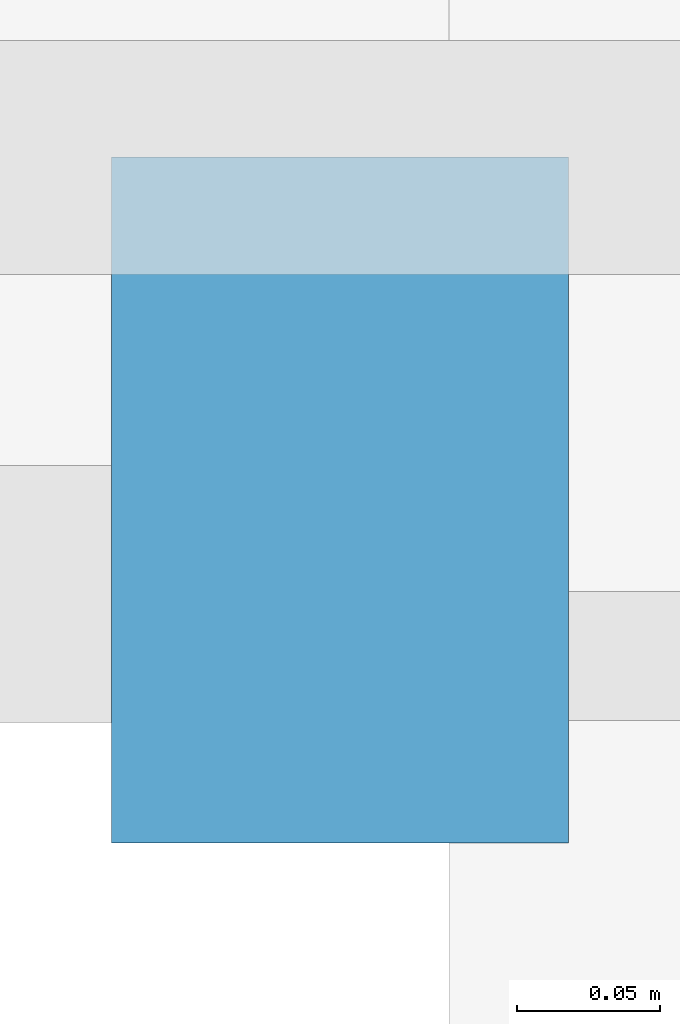
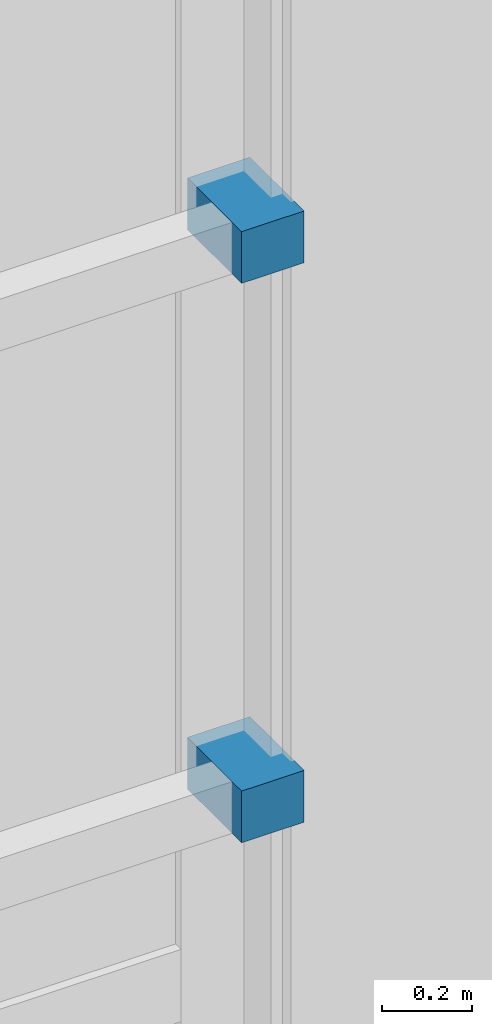
# One storey, part 21 of 30: 2 discrete accessories.
"""IFC4 building model written with IfcOpenShell, lengths in metres."""

from ifc_helpers import new_model, si_unit, direction, frame, origin, origin_2d, place, context, subcontext, project, spatial, rectangle, extrude, material, type_object, element, save


model = new_model("IFC4")

# Units and contexts
model_context = context("Model", 3, precision=1e-05, world=origin(), true_north=direction((0.0, 1.0)))
body_context = subcontext(model_context, "Body", "Model", "MODEL_VIEW")
ifc_project = project(units=[si_unit("LENGTHUNIT", "METRE"), si_unit("AREAUNIT", "SQUARE_METRE"), si_unit("VOLUMEUNIT", "CUBIC_METRE"), si_unit("PLANEANGLEUNIT", "RADIAN"), si_unit("MASSUNIT", "GRAM", prefix="KILO")], contexts=[model_context])

# Site, building, storey
site_placement = place(None, origin())
site = spatial("IfcSite", under=ifc_project, at=site_placement, CompositionType="ELEMENT")
building_placement = place(site_placement, origin())
building = spatial("IfcBuilding", under=site, at=building_placement, Name="Quenlor Broadcast Tower", CompositionType="ELEMENT")
storey_placement = place(building_placement, frame((0.0, 0.0, 9.5)))
storey = spatial("IfcBuildingStorey", under=building, at=storey_placement, Name="L02", CompositionType="ELEMENT", Elevation=9.5)

# Discrete accessories
ifc_material = material(Name="Aluminium 6063-T6", Category="aluminium")
discrete_accessory_type = type_object("IfcDiscreteAccessoryType", Name="Stainless Mullion Baguette Support Bracket", PredefinedType="BRACKET", material=ifc_material)
for number, where, z_axis, x_axis, name in (
    (1, (26.109619140625, -24.93994140625, 1.44189453125), (0.0, 0.0, 1.0), (-1.0, 0.0, 0.0), "L02 Baguette Mullion Bracket 1.1"),
    (2, (26.109619140625, -24.93994140625, 2.9541015625), (0.0, 0.0, 1.0), (-1.0, 0.0, 0.0), "L02 Baguette Mullion Bracket 2.1"),
):
    element("IfcDiscreteAccessory", number, at=place(storey_placement, frame(where, z_axis=z_axis, x_axis=x_axis)), inside=storey, type_object=discrete_accessory_type, Name=name, PredefinedType="BRACKET", context=body_context, shape_type="SweptSolid", body=[
        extrude(rectangle(XDim=0.159912109375, YDim=0.239990234375, at=origin_2d()), origin(), (0.0, 0.0, 1.0), 0.139892578125),
    ])

save(model, "model.ifc")
